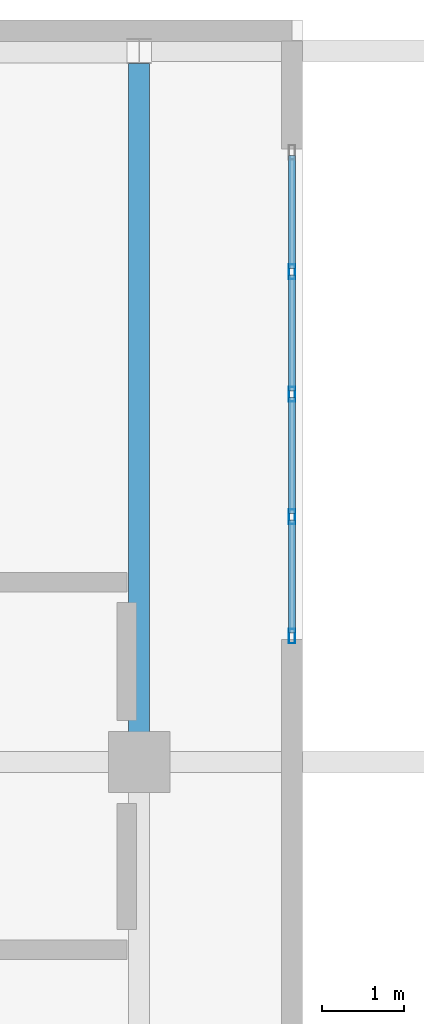
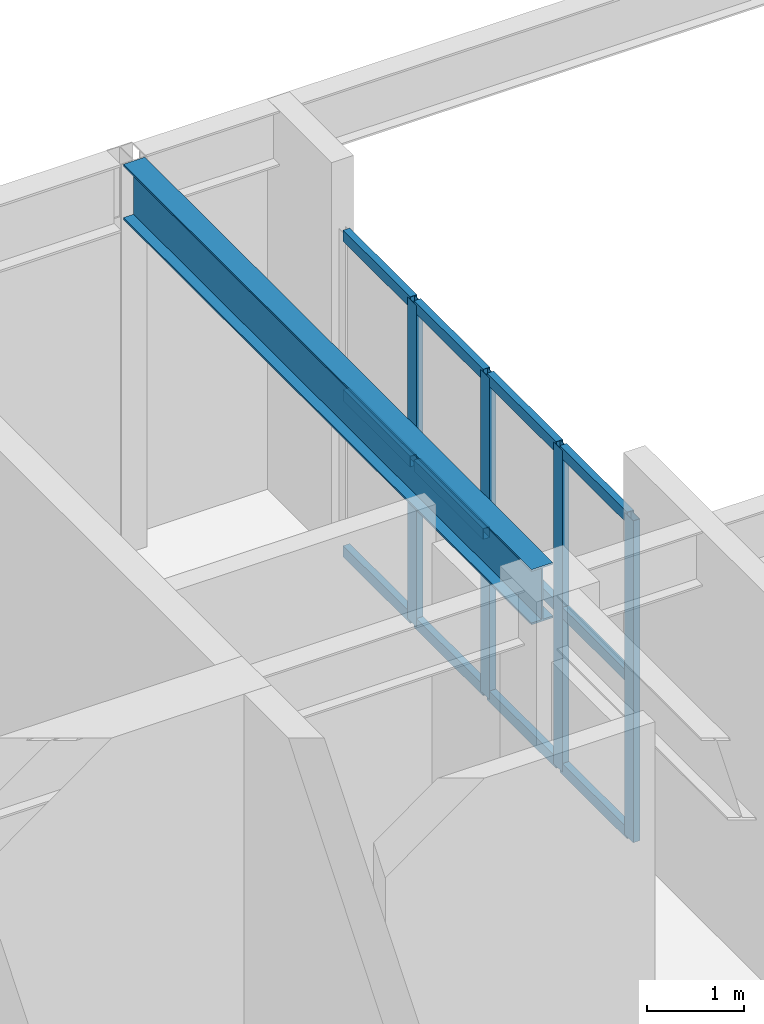
# One storey, part 2 of 9: 16 members, 1 beam, 1 element without a shape of its own.
"""IFC4 building model written with IfcOpenShell, lengths in metres."""

from ifc_helpers import new_model, si_unit, direction, frame, origin, origin_2d, place, context, subcontext, project, spatial, hollow_rectangle, i_section, extrude, material, layer, layer_set, material_profile, profile_set, type_object, element, aggregate, save


model = new_model("IFC4")

# Units and contexts
model_context = context("Model", 3, precision=1e-05, world=origin(), true_north=direction((0.0, 1.0)))
body_context = subcontext(model_context, "Body", "Model", "MODEL_VIEW")
ifc_project = project(units=[si_unit("LENGTHUNIT", "METRE"), si_unit("AREAUNIT", "SQUARE_METRE"), si_unit("VOLUMEUNIT", "CUBIC_METRE"), si_unit("PLANEANGLEUNIT", "RADIAN"), si_unit("MASSUNIT", "GRAM", prefix="KILO")], contexts=[model_context])

# Site, building, storey
site_placement = place(None, origin())
site = spatial("IfcSite", under=ifc_project, at=site_placement, CompositionType="ELEMENT")
building_placement = place(site_placement, origin())
building = spatial("IfcBuilding", under=site, at=building_placement, Name="Solanera Arch Residences", CompositionType="ELEMENT")
storey_placement = place(building_placement, frame((0.0, 0.0, 297.679931640625)))
storey = spatial("IfcBuildingStorey", under=building, at=storey_placement, Name="L84", CompositionType="ELEMENT", Elevation=297.679931640625)

# Curtain wall, members
ifc_material_1 = material(Name="Anodised Aluminium Alloy 6063-T6", Category="aluminium")
ifc_layer = layer(ifc_material_1, 0.179931640625)
ifc_layer_set = layer_set([ifc_layer], Name="Anodised Aluminium Alloy 6063-T6")
curtain_wall_type = type_object("IfcCurtainWallType", Name="CW-6 Split-Top Crown Lantern Curtain Wall", PredefinedType="USERDEFINED", material=ifc_layer_set)
curtain_wall_placement = place(storey_placement, origin())
curtain_wall = element("IfcCurtainWall", 1, at=curtain_wall_placement, inside=storey, type_object=curtain_wall_type, Name="L84 W Crown Cleft Lantern Curtain Wall", ObjectType="CURTAIN_WALL", PredefinedType="USERDEFINED")
ifc_material_2 = material(Name="Anodised Aluminium Alloy 6063-T6", Category="aluminium")
ifc_material_profile_1 = material_profile(ifc_material_2, hollow_rectangle(XDim=0.080078125, YDim=0.179931640625, WallThickness=0.00390625, at=origin_2d()))
ifc_profile_set_1 = profile_set([ifc_material_profile_1], Name="Anodised Aluminium Alloy 6063-T6")
member_type_1 = type_object("IfcMemberType", Name="Curtain Wall Mullion ALU-MUL-80X180", PredefinedType="MULLION", material=ifc_profile_set_1)
member_1_placement = place(storey_placement, frame((22.669921875, 32.239990234375, 0.0), z_axis=(0.0, 0.0, 1.0), x_axis=(-1.0, 0.0, 0.0)))
member_1 = element("IfcMember", 2, at=member_1_placement, type_object=member_type_1, Name="CW-6 mullion 1", PredefinedType="MULLION", context=body_context, shape_type="SweptSolid", body=[
    extrude(hollow_rectangle(XDim=0.080078125, YDim=0.179931640625, WallThickness=0.00390625, at=origin_2d()), origin(), (0.0, 0.0, 1.0), 4.0400390625),
])
member_2_placement = place(storey_placement, frame((22.669921875, 33.699951171875, 0.0), z_axis=(0.0, 0.0, 1.0), x_axis=(-1.0, 0.0, 0.0)))
member_2 = element("IfcMember", 3, at=member_2_placement, type_object=member_type_1, Name="CW-6 mullion 2", PredefinedType="MULLION", context=body_context, shape_type="SweptSolid", body=[
    extrude(hollow_rectangle(XDim=0.080078125, YDim=0.179931640625, WallThickness=0.00390625, at=origin_2d()), origin(), (0.0, 0.0, 1.0), 4.0400390625),
])
member_3_placement = place(storey_placement, frame((22.669921875, 35.199951171875, 0.0), z_axis=(0.0, 0.0, 1.0), x_axis=(-1.0, 0.0, 0.0)))
member_3 = element("IfcMember", 4, at=member_3_placement, type_object=member_type_1, Name="CW-6 mullion 3", PredefinedType="MULLION", context=body_context, shape_type="SweptSolid", body=[
    extrude(hollow_rectangle(XDim=0.080078125, YDim=0.179931640625, WallThickness=0.00390625, at=origin_2d()), origin(), (0.0, 0.0, 1.0), 4.0400390625),
])
member_4_placement = place(storey_placement, frame((22.669921875, 36.699951171875, 0.0), z_axis=(0.0, 0.0, 1.0), x_axis=(-1.0, 0.0, 0.0)))
member_4 = element("IfcMember", 5, at=member_4_placement, type_object=member_type_1, Name="CW-6 mullion 4", PredefinedType="MULLION", context=body_context, shape_type="SweptSolid", body=[
    extrude(hollow_rectangle(XDim=0.080078125, YDim=0.179931640625, WallThickness=0.00390625, at=origin_2d()), origin(), (0.0, 0.0, 1.0), 4.0400390625),
])
ifc_material_3 = material(Name="Anodised Aluminium Alloy 6063-T6", Category="aluminium")
ifc_material_profile_2 = material_profile(ifc_material_3, hollow_rectangle(XDim=0.080078125, YDim=0.139892578125, WallThickness=0.00390625, at=origin_2d()))
ifc_profile_set_2 = profile_set([ifc_material_profile_2], Name="Anodised Aluminium Alloy 6063-T6")
member_type_2 = type_object("IfcMemberType", Name="Curtain Wall Transom ALU-TRN-80X140", PredefinedType="USERDEFINED", material=ifc_profile_set_2)
member_5_placement = place(storey_placement, frame((22.669921875, 32.280029296875, 0.0400390625), z_axis=(0.0, 1.0, 0.0), x_axis=(-1.0, 0.0, 0.0)))
member_5 = element("IfcMember", 6, at=member_5_placement, type_object=member_type_2, Name="CW-6 transom 1.1", ObjectType="TRANSOM", PredefinedType="USERDEFINED", context=body_context, shape_type="SweptSolid", body=[
    extrude(hollow_rectangle(XDim=0.080078125, YDim=0.139892578125, WallThickness=0.00390625, at=origin_2d()), origin(), (0.0, 0.0, 1.0), 1.3798828125),
])
member_6_placement = place(storey_placement, frame((22.669921875, 32.280029296875, 2.0), z_axis=(0.0, 1.0, 0.0), x_axis=(-1.0, 0.0, 0.0)))
member_6 = element("IfcMember", 7, at=member_6_placement, type_object=member_type_2, Name="CW-6 transom 1.2", ObjectType="TRANSOM", PredefinedType="USERDEFINED", context=body_context, shape_type="SweptSolid", body=[
    extrude(hollow_rectangle(XDim=0.080078125, YDim=0.139892578125, WallThickness=0.00390625, at=origin_2d()), origin(), (0.0, 0.0, 1.0), 1.3798828125),
])
member_7_placement = place(storey_placement, frame((22.669921875, 32.280029296875, 4.0), z_axis=(0.0, 1.0, 0.0), x_axis=(-1.0, 0.0, 0.0)))
member_7 = element("IfcMember", 8, at=member_7_placement, type_object=member_type_2, Name="CW-6 transom 1.3", ObjectType="TRANSOM", PredefinedType="USERDEFINED", context=body_context, shape_type="SweptSolid", body=[
    extrude(hollow_rectangle(XDim=0.080078125, YDim=0.139892578125, WallThickness=0.00390625, at=origin_2d()), origin(), (0.0, 0.0, 1.0), 1.3798828125),
])
member_8_placement = place(storey_placement, frame((22.669921875, 33.739990234375, 0.0400390625), z_axis=(0.0, 1.0, 0.0), x_axis=(-1.0, 0.0, 0.0)))
member_8 = element("IfcMember", 9, at=member_8_placement, type_object=member_type_2, Name="CW-6 transom 2.1", ObjectType="TRANSOM", PredefinedType="USERDEFINED", context=body_context, shape_type="SweptSolid", body=[
    extrude(hollow_rectangle(XDim=0.080078125, YDim=0.139892578125, WallThickness=0.00390625, at=origin_2d()), origin(), (0.0, 0.0, 1.0), 1.419921875),
])
member_9_placement = place(storey_placement, frame((22.669921875, 33.739990234375, 2.0), z_axis=(0.0, 1.0, 0.0), x_axis=(-1.0, 0.0, 0.0)))
member_9 = element("IfcMember", 10, at=member_9_placement, type_object=member_type_2, Name="CW-6 transom 2.2", ObjectType="TRANSOM", PredefinedType="USERDEFINED", context=body_context, shape_type="SweptSolid", body=[
    extrude(hollow_rectangle(XDim=0.080078125, YDim=0.139892578125, WallThickness=0.00390625, at=origin_2d()), origin(), (0.0, 0.0, 1.0), 1.419921875),
])
member_10_placement = place(storey_placement, frame((22.669921875, 33.739990234375, 4.0), z_axis=(0.0, 1.0, 0.0), x_axis=(-1.0, 0.0, 0.0)))
member_10 = element("IfcMember", 11, at=member_10_placement, type_object=member_type_2, Name="CW-6 transom 2.3", ObjectType="TRANSOM", PredefinedType="USERDEFINED", context=body_context, shape_type="SweptSolid", body=[
    extrude(hollow_rectangle(XDim=0.080078125, YDim=0.139892578125, WallThickness=0.00390625, at=origin_2d()), origin(), (0.0, 0.0, 1.0), 1.419921875),
])
member_11_placement = place(storey_placement, frame((22.669921875, 35.239990234375, 0.0400390625), z_axis=(0.0, 1.0, 0.0), x_axis=(-1.0, 0.0, 0.0)))
member_11 = element("IfcMember", 12, at=member_11_placement, type_object=member_type_2, Name="CW-6 transom 3.1", ObjectType="TRANSOM", PredefinedType="USERDEFINED", context=body_context, shape_type="SweptSolid", body=[
    extrude(hollow_rectangle(XDim=0.080078125, YDim=0.139892578125, WallThickness=0.00390625, at=origin_2d()), origin(), (0.0, 0.0, 1.0), 1.419921875),
])
member_12_placement = place(storey_placement, frame((22.669921875, 35.239990234375, 2.0), z_axis=(0.0, 1.0, 0.0), x_axis=(-1.0, 0.0, 0.0)))
member_12 = element("IfcMember", 13, at=member_12_placement, type_object=member_type_2, Name="CW-6 transom 3.2", ObjectType="TRANSOM", PredefinedType="USERDEFINED", context=body_context, shape_type="SweptSolid", body=[
    extrude(hollow_rectangle(XDim=0.080078125, YDim=0.139892578125, WallThickness=0.00390625, at=origin_2d()), origin(), (0.0, 0.0, 1.0), 1.419921875),
])
member_13_placement = place(storey_placement, frame((22.669921875, 35.239990234375, 4.0), z_axis=(0.0, 1.0, 0.0), x_axis=(-1.0, 0.0, 0.0)))
member_13 = element("IfcMember", 14, at=member_13_placement, type_object=member_type_2, Name="CW-6 transom 3.3", ObjectType="TRANSOM", PredefinedType="USERDEFINED", context=body_context, shape_type="SweptSolid", body=[
    extrude(hollow_rectangle(XDim=0.080078125, YDim=0.139892578125, WallThickness=0.00390625, at=origin_2d()), origin(), (0.0, 0.0, 1.0), 1.419921875),
])
member_14_placement = place(storey_placement, frame((22.669921875, 36.739990234375, 0.0400390625), z_axis=(0.0, 1.0, 0.0), x_axis=(-1.0, 0.0, 0.0)))
member_14 = element("IfcMember", 15, at=member_14_placement, type_object=member_type_2, Name="CW-6 transom 4.1", ObjectType="TRANSOM", PredefinedType="USERDEFINED", context=body_context, shape_type="SweptSolid", body=[
    extrude(hollow_rectangle(XDim=0.080078125, YDim=0.139892578125, WallThickness=0.00390625, at=origin_2d()), origin(), (0.0, 0.0, 1.0), 1.380126953125),
])
member_15_placement = place(storey_placement, frame((22.669921875, 36.739990234375, 2.0), z_axis=(0.0, 1.0, 0.0), x_axis=(-1.0, 0.0, 0.0)))
member_15 = element("IfcMember", 16, at=member_15_placement, type_object=member_type_2, Name="CW-6 transom 4.2", ObjectType="TRANSOM", PredefinedType="USERDEFINED", context=body_context, shape_type="SweptSolid", body=[
    extrude(hollow_rectangle(XDim=0.080078125, YDim=0.139892578125, WallThickness=0.00390625, at=origin_2d()), origin(), (0.0, 0.0, 1.0), 1.380126953125),
])
member_16_placement = place(storey_placement, frame((22.669921875, 36.739990234375, 4.0), z_axis=(0.0, 1.0, 0.0), x_axis=(-1.0, 0.0, 0.0)))
member_16 = element("IfcMember", 17, at=member_16_placement, type_object=member_type_2, Name="CW-6 transom 4.3", ObjectType="TRANSOM", PredefinedType="USERDEFINED", context=body_context, shape_type="SweptSolid", body=[
    extrude(hollow_rectangle(XDim=0.080078125, YDim=0.139892578125, WallThickness=0.00390625, at=origin_2d()), origin(), (0.0, 0.0, 1.0), 1.380126953125),
])
aggregate(curtain_wall, [member_1, member_2, member_3, member_4, member_5, member_6, member_7, member_8, member_9, member_10, member_11, member_12, member_13, member_14, member_15, member_16])

# Beam
ifc_material_4 = material(Name="Steel S355 (ASTM A992 / A572 Grade 50)", Category="steel")
ifc_material_profile_3 = material_profile(ifc_material_4, i_section(OverallWidth=0.256103515625, OverallDepth=0.693115234375, WebThickness=0.014404296875, FlangeThickness=0.023681640625, at=origin_2d()))
ifc_profile_set_3 = profile_set([ifc_material_profile_3], Name="Steel S355 (ASTM A992 / A572 Grade 50)")
beam_type = type_object("IfcBeamType", Name="Primary Beam W690X170", PredefinedType="BEAM", material=ifc_profile_set_3)
beam_placement = place(storey_placement, frame((20.800048828125, 30.85400390625, 4.552978515625), z_axis=(0.0, 1.0, 0.0), x_axis=(-1.0, 0.0, 0.0)))
element("IfcBeam", 18, at=beam_placement, inside=storey, type_object=beam_type, Name="BM-L84-CR-W4", PredefinedType="BEAM", context=body_context, shape_type="SweptSolid", body=[
    extrude(i_section(OverallWidth=0.256103515625, OverallDepth=0.693115234375, WebThickness=0.014404296875, FlangeThickness=0.023681640625, at=origin_2d()), origin(), (0.0, 0.0, 1.0), 8.39208984375),
])

save(model, "model.ifc")
